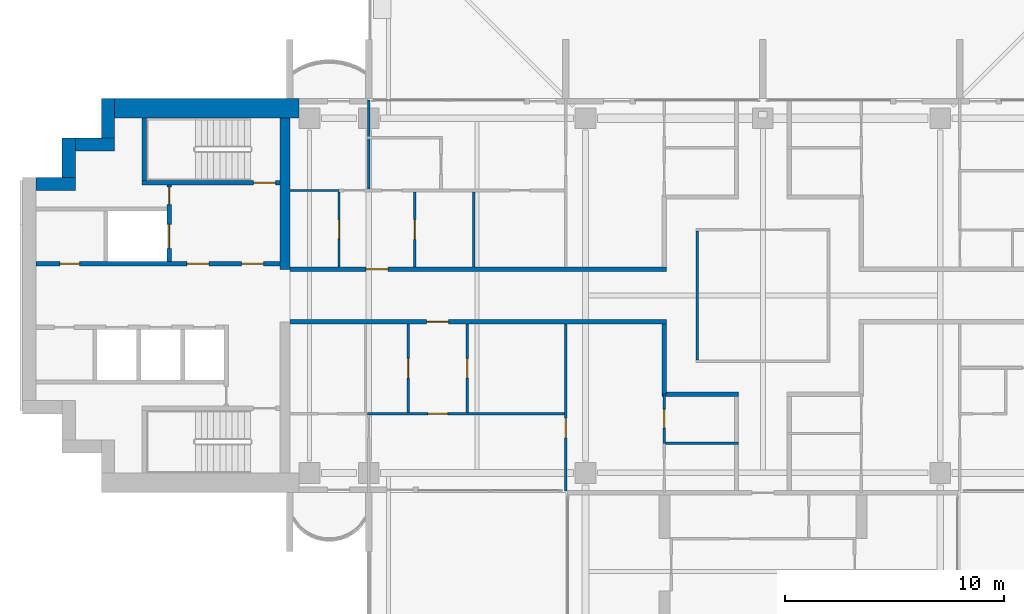
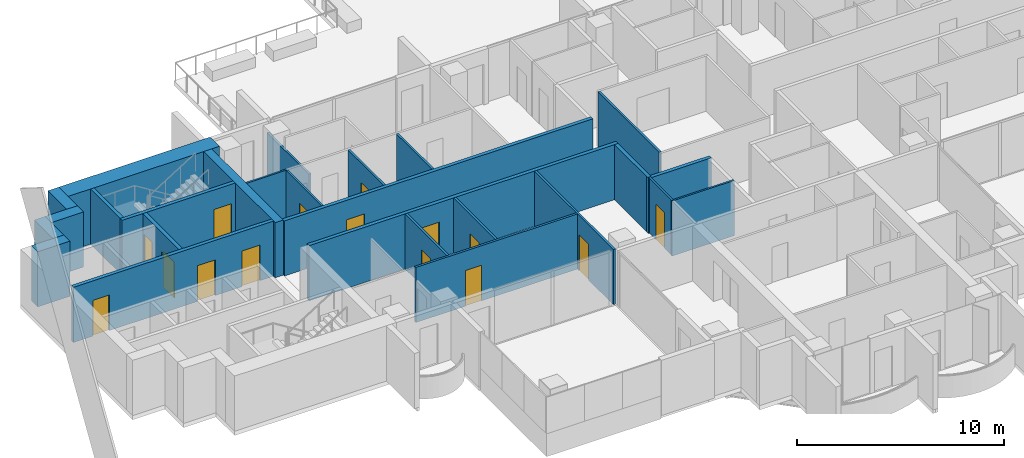
# One storey, part 9 of 18: 26 walls, 15 doors, 15 openings.
"""IFC4 building model written with IfcOpenShell, lengths in metres."""

from ifc_helpers import new_model, si_unit, direction, frame, frame_2d, origin, place, context, subcontext, project, spatial, rectangle, extrude, material, layer, layer_set, type_object, element, fill, save


model = new_model("IFC4")

# Units and contexts
model_context = context("Model", 3, precision=1e-05, world=origin(), true_north=direction((0.0, 1.0)))
body_context = subcontext(model_context, "Body", "Model", "MODEL_VIEW")
ifc_project = project(units=[si_unit("LENGTHUNIT", "METRE"), si_unit("AREAUNIT", "SQUARE_METRE"), si_unit("VOLUMEUNIT", "CUBIC_METRE"), si_unit("PLANEANGLEUNIT", "RADIAN"), si_unit("MASSUNIT", "GRAM", prefix="KILO")], contexts=[model_context])

# Site, building, storey
site_placement = place(None, origin())
site = spatial("IfcSite", under=ifc_project, at=site_placement, CompositionType="ELEMENT")
building_placement = place(site_placement, origin())
building = spatial("IfcBuilding", under=site, at=building_placement, Name="Perihelion Cross Residences", CompositionType="ELEMENT")
storey_placement = place(building_placement, frame((0.0, 0.0, 166.60009765625)))
storey = spatial("IfcBuildingStorey", under=building, at=storey_placement, Name="L40", CompositionType="ELEMENT", Elevation=166.60009765625)

# Wall, opening, door
ifc_material_1 = material(Name="Plasterboard partition")
ifc_layer_1 = layer(ifc_material_1, 0.199951171875)
ifc_layer_set_1 = layer_set([ifc_layer_1], Name="Apartment separation wall 200")
wall_type_1 = type_object("IfcWallType", Name="Apartment separation wall 200", PredefinedType="PARTITIONING", material=ifc_layer_set_1)
wall_1_placement = place(storey_placement, frame((-21.60009765625, 1.199951171875, 0.0), z_axis=(0.0, 0.0, 1.0), x_axis=(1.0, 0.0, 0.0)))
wall_1 = element("IfcWall", 1, at=wall_1_placement, inside=storey, type_object=wall_type_1, Name="Partition L40 W013", PredefinedType="PARTITIONING", context=body_context, shape_type="SweptSolid", body=[
    extrude(rectangle(XDim=17.2001953125, YDim=0.199951171875, at=frame_2d((8.60009765625, 0.0))), origin(), (0.0, 0.0, 1.0), 3.25),
])
opening_1_placement = place(wall_1_placement, frame((3.47509765625, 0.0, 0.0)))
opening_1 = element("IfcOpeningElement", 2, at=opening_1_placement, cuts=wall_1, Name="Opening L40.A47", PredefinedType="OPENING", context=body_context, shape_type="SweptSolid", body=[
    extrude(rectangle(XDim=1.0, YDim=2.10009765625, at=frame_2d((0.5, 1.050048828125))), frame((0.0, 0.10986328125, 0.0), z_axis=(0.0, -1.0, 0.0), x_axis=(1.0, 0.0, 0.0)), (0.0, 0.0, 1.0), 0.219970703125),
])
ifc_material_2 = material(Name="Timber door leaf", Category="wood")
door_type_1 = type_object("IfcDoorType", Name="Flat entrance door 1000 x 2100", OperationType="SINGLE_SWING_LEFT", PredefinedType="DOOR", material=ifc_material_2)
door_1_placement = place(opening_1_placement, origin())
door_1 = element("IfcDoor", 3, at=door_1_placement, inside=storey, type_object=door_type_1, Name="Door L40.A47", OperationType="SINGLE_SWING_LEFT", OverallHeight=2.10009765625, OverallWidth=1.0, PredefinedType="DOOR", context=body_context, shape_type="SweptSolid", body=[
    extrude(rectangle(XDim=1.0, YDim=2.10009765625, at=frame_2d((0.5, 1.050048828125))), frame((0.0, 0.02490234375, 0.0), z_axis=(0.0, -1.0, 0.0), x_axis=(1.0, 0.0, 0.0)), (0.0, 0.0, 1.0), 0.050048828125),
])
fill(opening_1, door_1)

wall_2_placement = place(storey_placement, frame((-4.39990234375, -1.199951171875, 0.0), z_axis=(0.0, 0.0, 1.0), x_axis=(-1.0, 0.0, 0.0)))
wall_2 = element("IfcWall", 4, at=wall_2_placement, inside=storey, type_object=wall_type_1, Name="Partition L40 W017", PredefinedType="PARTITIONING", context=body_context, shape_type="SweptSolid", body=[
    extrude(rectangle(XDim=17.2001953125, YDim=0.199951171875, at=frame_2d((8.60009765625, 0.0))), origin(), (0.0, 0.0, 1.0), 3.25),
])
opening_2_placement = place(wall_2_placement, frame((9.949951171875, 0.0, 0.0)))
opening_2 = element("IfcOpeningElement", 5, at=opening_2_placement, cuts=wall_2, Name="Opening L40.A48", PredefinedType="OPENING", context=body_context, shape_type="SweptSolid", body=[
    extrude(rectangle(XDim=1.0, YDim=2.10009765625, at=frame_2d((0.5, 1.050048828125))), frame((0.0, 0.10986328125, 0.0), z_axis=(0.0, -1.0, 0.0), x_axis=(1.0, 0.0, 0.0)), (0.0, 0.0, 1.0), 0.219970703125),
])
door_2_placement = place(opening_2_placement, origin())
door_2 = element("IfcDoor", 6, at=door_2_placement, inside=storey, type_object=door_type_1, Name="Door L40.A48", OperationType="SINGLE_SWING_LEFT", OverallHeight=2.10009765625, OverallWidth=1.0, PredefinedType="DOOR", context=body_context, shape_type="SweptSolid", body=[
    extrude(rectangle(XDim=1.0, YDim=2.10009765625, at=frame_2d((0.5, 1.050048828125))), frame((0.0, 0.02490234375, 0.0), z_axis=(0.0, -1.0, 0.0), x_axis=(1.0, 0.0, 0.0)), (0.0, 0.0, 1.0), 0.050048828125),
])
fill(opening_2, door_2)

# Walls
wall_3_placement = place(storey_placement, frame((-4.5, -4.5, 0.0), z_axis=(0.0, 0.0, 1.0), x_axis=(0.0, 1.0, 0.0)))
element("IfcWall", 7, at=wall_3_placement, inside=storey, type_object=wall_type_1, Name="Partition L40 W018", PredefinedType="PARTITIONING", context=body_context, shape_type="SweptSolid", body=[
    extrude(rectangle(XDim=3.199951171875, YDim=0.199951171875, at=frame_2d((1.60009765625, 0.0))), origin(), (0.0, 0.0, 1.0), 3.25),
])
wall_4_placement = place(storey_placement, frame((-1.10009765625, -4.5, 0.0), z_axis=(0.0, 0.0, 1.0), x_axis=(-1.0, 0.0, 0.0)))
element("IfcWall", 8, at=wall_4_placement, inside=storey, type_object=wall_type_1, Name="Partition L40 W020", PredefinedType="PARTITIONING", context=body_context, shape_type="SweptSolid", body=[
    extrude(rectangle(XDim=3.5, YDim=0.199951171875, at=frame_2d((1.75, 0.0))), origin(), (0.0, 0.0, 1.0), 3.25),
])
ifc_material_3 = material(Name="Concrete C60/75", Category="concrete")
ifc_layer_2 = layer(ifc_material_3, 0.449951171875)
ifc_layer_set_2 = layer_set([ifc_layer_2], Name="Core wall, inner 450")
wall_type_2 = type_object("IfcWallType", Name="Core wall, inner 450", PredefinedType="SHEAR", material=ifc_layer_set_2)
wall_5_placement = place(storey_placement, frame((-21.824951171875, 1.199951171875, 0.0), z_axis=(0.0, 0.0, 1.0), x_axis=(0.0, 1.0, 0.0)))
element("IfcWall", 9, at=wall_5_placement, inside=storey, type_object=wall_type_2, Name="West core core wall, inner", PredefinedType="SHEAR", context=body_context, shape_type="SweptSolid", body=[
    extrude(rectangle(XDim=6.900146484375, YDim=0.449951171875, at=frame_2d((3.4501953125, 0.0))), origin(), (0.0, 0.0, 1.0), 3.25),
])
ifc_material_4 = material(Name="Concrete C60/75", Category="concrete")
ifc_layer_3 = layer(ifc_material_4, 0.60009765625)
ifc_layer_set_3 = layer_set([ifc_layer_3], Name="Core wall, outer 600")
wall_type_3 = type_object("IfcWallType", Name="Core wall, outer 600", PredefinedType="SHEAR", material=ifc_layer_set_3)
for number, where, z_axis, x_axis, name in (
    (10, (-33.199951171875, 5.10009765625, 0.0), (0.0, 0.0, 1.0), (1.0, 0.0, 0.0), "West core core wall, outer"),
    (11, (-31.699951171875, 5.39990234375, 0.0), (0.0, 0.0, 1.0), (0.0, 1.0, 0.0), "West core core wall, outer"),
):
    element("IfcWall", number, at=place(storey_placement, frame(where, z_axis=z_axis, x_axis=x_axis)), inside=storey, type_object=wall_type_3, Name=name, PredefinedType="SHEAR", context=body_context, shape_type="SweptSolid", body=[
        extrude(rectangle(XDim=1.800048828125, YDim=0.60009765625, at=frame_2d((0.89990234375, 0.0))), origin(), (0.0, 0.0, 1.0), 3.25),
    ])
wall_6_placement = place(storey_placement, frame((-31.39990234375, 6.89990234375, 0.0), z_axis=(0.0, 0.0, 1.0), x_axis=(1.0, 0.0, 0.0)))
element("IfcWall", 12, at=wall_6_placement, inside=storey, type_object=wall_type_3, Name="West core core wall, outer", PredefinedType="SHEAR", context=body_context, shape_type="SweptSolid", body=[
    extrude(rectangle(XDim=1.7998046875, YDim=0.60009765625, at=frame_2d((0.89990234375, 0.0))), origin(), (0.0, 0.0, 1.0), 3.25),
])
wall_7_placement = place(storey_placement, frame((-29.89990234375, 7.199951171875, 0.0), z_axis=(0.0, 0.0, 1.0), x_axis=(0.0, 1.0, 0.0)))
element("IfcWall", 13, at=wall_7_placement, inside=storey, type_object=wall_type_3, Name="West core core wall, outer", PredefinedType="SHEAR", context=body_context, shape_type="SweptSolid", body=[
    extrude(rectangle(XDim=1.800048828125, YDim=0.60009765625, at=frame_2d((0.89990234375, 0.0))), origin(), (0.0, 0.0, 1.0), 3.25),
])
ifc_material_5 = material(Name="Concrete C60/75", Category="concrete")
ifc_layer_4 = layer(ifc_material_5, 0.89990234375)
ifc_layer_set_4 = layer_set([ifc_layer_4], Name="Core wall, outer 900")
wall_type_4 = type_object("IfcWallType", Name="Core wall, outer 900", PredefinedType="SHEAR", material=ifc_layer_set_4)
wall_8_placement = place(storey_placement, frame((-29.60009765625, 8.550048828125, 0.0), z_axis=(0.0, 0.0, 1.0), x_axis=(1.0, 0.0, 0.0)))
element("IfcWall", 14, at=wall_8_placement, inside=storey, type_object=wall_type_4, Name="West core core wall, outer", PredefinedType="SHEAR", context=body_context, shape_type="SweptSolid", body=[
    extrude(rectangle(XDim=8.425048828125, YDim=0.89990234375, at=frame_2d((4.21240234375, 0.0))), origin(), (0.0, 0.0, 1.0), 3.25),
])
ifc_material_6 = material(Name="Plasterboard partition")
ifc_layer_5 = layer(ifc_material_6, 0.1201171875)
ifc_layer_set_5 = layer_set([ifc_layer_5], Name="Partition wall 120")
wall_type_5 = type_object("IfcWallType", Name="Partition wall 120", PredefinedType="PARTITIONING", material=ifc_layer_set_5)
wall_9_placement = place(storey_placement, frame((-3.0, 2.93994140625, 0.0), z_axis=(0.0, 0.0, 1.0), x_axis=(0.0, -1.0, 0.0)))
element("IfcWall", 15, at=wall_9_placement, inside=storey, type_object=wall_type_5, Name="Partition L40 W004", PredefinedType="PARTITIONING", context=body_context, shape_type="SweptSolid", body=[
    extrude(rectangle(XDim=5.8798828125, YDim=0.1201171875, at=frame_2d((2.93994140625, 0.0))), origin(), (0.0, 0.0, 1.0), 3.25),
])
wall_10_placement = place(storey_placement, frame((-13.199951171875, 1.300048828125, 0.0), z_axis=(0.0, 0.0, 1.0), x_axis=(0.0, 1.0, 0.0)))
element("IfcWall", 16, at=wall_10_placement, inside=storey, type_object=wall_type_5, Name="Partition L40 W051", PredefinedType="PARTITIONING", context=body_context, shape_type="SweptSolid", body=[
    extrude(rectangle(XDim=3.43994140625, YDim=0.1201171875, at=frame_2d((1.719970703125, 0.0))), origin(), (0.0, 0.0, 1.0), 3.25),
])

# Wall, opening, door
wall_11_placement = place(storey_placement, frame((-15.89990234375, 1.300048828125, 0.0), z_axis=(0.0, 0.0, 1.0), x_axis=(0.0, 1.0, 0.0)))
wall_11 = element("IfcWall", 17, at=wall_11_placement, inside=storey, type_object=wall_type_5, Name="Partition L40 W054", PredefinedType="PARTITIONING", context=body_context, shape_type="SweptSolid", body=[
    extrude(rectangle(XDim=3.43994140625, YDim=0.1201171875, at=frame_2d((1.719970703125, 0.0))), origin(), (0.0, 0.0, 1.0), 3.25),
])
opening_3_placement = place(wall_11_placement, frame((1.27001953125, 0.0, 0.0)))
opening_3 = element("IfcOpeningElement", 18, at=opening_3_placement, cuts=wall_11, Name="Opening L40.A28", PredefinedType="OPENING", context=body_context, shape_type="SweptSolid", body=[
    extrude(rectangle(XDim=0.89990234375, YDim=2.10009765625, at=frame_2d((0.449951171875, 1.050048828125))), frame((0.0, 0.070068359375, 0.0), z_axis=(0.0, -1.0, 0.0), x_axis=(1.0, 0.0, 0.0)), (0.0, 0.0, 1.0), 0.14013671875),
])
ifc_material_7 = material(Name="Timber door leaf", Category="wood")
door_type_2 = type_object("IfcDoorType", Name="Interior room door 900 x 2100", OperationType="SINGLE_SWING_LEFT", PredefinedType="DOOR", material=ifc_material_7)
door_3_placement = place(opening_3_placement, origin())
door_3 = element("IfcDoor", 19, at=door_3_placement, inside=storey, type_object=door_type_2, Name="Door L40.A28", OperationType="SINGLE_SWING_LEFT", OverallHeight=2.10009765625, OverallWidth=0.89990234375, PredefinedType="DOOR", context=body_context, shape_type="SweptSolid", body=[
    extrude(rectangle(XDim=0.89990234375, YDim=2.10009765625, at=frame_2d((0.449951171875, 1.050048828125))), frame((0.0, 0.02490234375, 0.0), z_axis=(0.0, -1.0, 0.0), x_axis=(1.0, 0.0, 0.0)), (0.0, 0.0, 1.0), 0.050048828125),
])
fill(opening_3, door_3)

# Wall
wall_12_placement = place(storey_placement, frame((-18.0, 4.860107421875, 0.0), z_axis=(0.0, 0.0, 1.0), x_axis=(0.0, 1.0, 0.0)))
element("IfcWall", 20, at=wall_12_placement, inside=storey, type_object=wall_type_5, Name="Partition L40 W059", PredefinedType="PARTITIONING", context=body_context, shape_type="SweptSolid", body=[
    extrude(rectangle(XDim=4.059814453125, YDim=0.1201171875, at=frame_2d((2.02978515625, 0.0))), origin(), (0.0, 0.0, 1.0), 2.47998046875),
])

# Wall, opening, door
wall_13_placement = place(storey_placement, frame((-13.5, -5.340087890625, 0.0), z_axis=(0.0, 0.0, 1.0), x_axis=(0.0, 1.0, 0.0)))
wall_13 = element("IfcWall", 21, at=wall_13_placement, inside=storey, type_object=wall_type_5, Name="Partition L40 W063", PredefinedType="PARTITIONING", context=body_context, shape_type="SweptSolid", body=[
    extrude(rectangle(XDim=4.0400390625, YDim=0.1201171875, at=frame_2d((2.02001953125, 0.0))), origin(), (0.0, 0.0, 1.0), 3.25),
])
opening_4_placement = place(wall_13_placement, frame((1.570068359375, 0.0, 0.0)))
opening_4 = element("IfcOpeningElement", 22, at=opening_4_placement, cuts=wall_13, Name="Opening L40.A32", PredefinedType="OPENING", context=body_context, shape_type="SweptSolid", body=[
    extrude(rectangle(XDim=0.89990234375, YDim=2.10009765625, at=frame_2d((0.449951171875, 1.050048828125))), frame((0.0, 0.070068359375, 0.0), z_axis=(0.0, -1.0, 0.0), x_axis=(1.0, 0.0, 0.0)), (0.0, 0.0, 1.0), 0.14013671875),
])
door_4_placement = place(opening_4_placement, origin())
door_4 = element("IfcDoor", 23, at=door_4_placement, inside=storey, type_object=door_type_2, Name="Door L40.A32", OperationType="SINGLE_SWING_LEFT", OverallHeight=2.10009765625, OverallWidth=0.89990234375, PredefinedType="DOOR", context=body_context, shape_type="SweptSolid", body=[
    extrude(rectangle(XDim=0.89990234375, YDim=2.10009765625, at=frame_2d((0.449951171875, 1.050048828125))), frame((0.0, 0.02490234375, 0.0), z_axis=(0.0, -1.0, 0.0), x_axis=(1.0, 0.0, 0.0)), (0.0, 0.0, 1.0), 0.050048828125),
])
fill(opening_4, door_4)

wall_14_placement = place(storey_placement, frame((-8.93994140625, -5.39990234375, 0.0), z_axis=(0.0, 0.0, 1.0), x_axis=(-1.0, 0.0, 0.0)))
wall_14 = element("IfcWall", 24, at=wall_14_placement, inside=storey, type_object=wall_type_5, Name="Partition L40 W064", PredefinedType="PARTITIONING", context=body_context, shape_type="SweptSolid", body=[
    extrude(rectangle(XDim=9.1201171875, YDim=0.1201171875, at=frame_2d((4.56005859375, 0.0))), origin(), (0.0, 0.0, 1.0), 3.25),
])
opening_5_placement = place(wall_14_placement, frame((5.4599609375, 0.0, 0.0)))
opening_5 = element("IfcOpeningElement", 25, at=opening_5_placement, cuts=wall_14, Name="Opening L40.A38", PredefinedType="OPENING", context=body_context, shape_type="SweptSolid", body=[
    extrude(rectangle(XDim=0.89990234375, YDim=2.10009765625, at=frame_2d((0.449951171875, 1.050048828125))), frame((0.0, 0.070068359375, 0.0), z_axis=(0.0, -1.0, 0.0), x_axis=(1.0, 0.0, 0.0)), (0.0, 0.0, 1.0), 0.14013671875),
])
door_5_placement = place(opening_5_placement, origin())
door_5 = element("IfcDoor", 26, at=door_5_placement, inside=storey, type_object=door_type_2, Name="Door L40.A38", OperationType="SINGLE_SWING_RIGHT", OverallHeight=2.10009765625, OverallWidth=0.89990234375, PredefinedType="DOOR", context=body_context, shape_type="SweptSolid", body=[
    extrude(rectangle(XDim=0.89990234375, YDim=2.10009765625, at=frame_2d((0.449951171875, 1.050048828125))), frame((0.0, 0.02490234375, 0.0), z_axis=(0.0, -1.0, 0.0), x_axis=(1.0, 0.0, 0.0)), (0.0, 0.0, 1.0), 0.050048828125),
])
fill(opening_5, door_5)

wall_15_placement = place(storey_placement, frame((-9.0, -1.300048828125, 0.0), z_axis=(0.0, 0.0, 1.0), x_axis=(0.0, -1.0, 0.0)))
wall_15 = element("IfcWall", 27, at=wall_15_placement, inside=storey, type_object=wall_type_5, Name="Partition L40 W065", PredefinedType="PARTITIONING", context=body_context, shape_type="SweptSolid", body=[
    extrude(rectangle(XDim=7.619873046875, YDim=0.1201171875, at=frame_2d((3.81005859375, 0.0))), origin(), (0.0, 0.0, 1.0), 3.25),
])
opening_6_placement = place(wall_15_placement, frame((4.300048828125, 0.0, 0.0)))
opening_6 = element("IfcOpeningElement", 28, at=opening_6_placement, cuts=wall_15, Name="Opening L40.A34", PredefinedType="OPENING", context=body_context, shape_type="SweptSolid", body=[
    extrude(rectangle(XDim=0.89990234375, YDim=2.10009765625, at=frame_2d((0.449951171875, 1.050048828125))), frame((0.0, 0.070068359375, 0.0), z_axis=(0.0, -1.0, 0.0), x_axis=(1.0, 0.0, 0.0)), (0.0, 0.0, 1.0), 0.14013671875),
])
door_6_placement = place(opening_6_placement, origin())
door_6 = element("IfcDoor", 29, at=door_6_placement, inside=storey, type_object=door_type_2, Name="Door L40.A34", OperationType="SINGLE_SWING_RIGHT", OverallHeight=2.10009765625, OverallWidth=0.89990234375, PredefinedType="DOOR", context=body_context, shape_type="SweptSolid", body=[
    extrude(rectangle(XDim=0.89990234375, YDim=2.10009765625, at=frame_2d((0.449951171875, 1.050048828125))), frame((0.0, 0.02490234375, 0.0), z_axis=(0.0, -1.0, 0.0), x_axis=(1.0, 0.0, 0.0)), (0.0, 0.0, 1.0), 0.050048828125),
])
fill(opening_6, door_6)

wall_16_placement = place(storey_placement, frame((-16.199951171875, -5.340087890625, 0.0), z_axis=(0.0, 0.0, 1.0), x_axis=(0.0, 1.0, 0.0)))
wall_16 = element("IfcWall", 30, at=wall_16_placement, inside=storey, type_object=wall_type_5, Name="Partition L40 W066", PredefinedType="PARTITIONING", context=body_context, shape_type="SweptSolid", body=[
    extrude(rectangle(XDim=4.0400390625, YDim=0.1201171875, at=frame_2d((2.02001953125, 0.0))), origin(), (0.0, 0.0, 1.0), 3.25),
])
opening_7_placement = place(wall_16_placement, frame((1.570068359375, 0.0, 0.0)))
opening_7 = element("IfcOpeningElement", 31, at=opening_7_placement, cuts=wall_16, Name="Opening L40.A31", PredefinedType="OPENING", context=body_context, shape_type="SweptSolid", body=[
    extrude(rectangle(XDim=0.89990234375, YDim=2.10009765625, at=frame_2d((0.449951171875, 1.050048828125))), frame((0.0, 0.070068359375, 0.0), z_axis=(0.0, -1.0, 0.0), x_axis=(1.0, 0.0, 0.0)), (0.0, 0.0, 1.0), 0.14013671875),
])
door_7_placement = place(opening_7_placement, origin())
door_7 = element("IfcDoor", 32, at=door_7_placement, inside=storey, type_object=door_type_2, Name="Door L40.A31", OperationType="SINGLE_SWING_RIGHT", OverallHeight=2.10009765625, OverallWidth=0.89990234375, PredefinedType="DOOR", context=body_context, shape_type="SweptSolid", body=[
    extrude(rectangle(XDim=0.89990234375, YDim=2.10009765625, at=frame_2d((0.449951171875, 1.050048828125))), frame((0.0, 0.02490234375, 0.0), z_axis=(0.0, -1.0, 0.0), x_axis=(1.0, 0.0, 0.0)), (0.0, 0.0, 1.0), 0.050048828125),
])
fill(opening_7, door_7)

# Wall, openings, doors
ifc_material_8 = material(Name="Concrete C50/60", Category="concrete")
ifc_layer_6 = layer(ifc_material_8, 0.199951171875)
ifc_layer_set_6 = layer_set([ifc_layer_6], Name="Shaft wall 200")
wall_type_6 = type_object("IfcWallType", Name="Shaft wall 200", PredefinedType="SOLIDWALL", material=ifc_layer_set_6)
wall_17_placement = place(storey_placement, frame((-33.199951171875, 1.449951171875, 0.0), z_axis=(0.0, 0.0, 1.0), x_axis=(1.0, 0.0, 0.0)))
wall_17 = element("IfcWall", 33, at=wall_17_placement, inside=storey, type_object=wall_type_6, Name="West core shaft wall", PredefinedType="SOLIDWALL", context=body_context, shape_type="SweptSolid", body=[
    extrude(rectangle(XDim=11.14990234375, YDim=0.199951171875, at=frame_2d((5.574951171875, 0.0))), origin(), (0.0, 0.0, 1.0), 3.25),
])
opening_8_placement = place(wall_17_placement, frame((9.39990234375, 0.0, 0.0)))
opening_8 = element("IfcOpeningElement", 34, at=opening_8_placement, cuts=wall_17, Name="Opening L40.C19", PredefinedType="OPENING", context=body_context, shape_type="SweptSolid", body=[
    extrude(rectangle(XDim=1.0, YDim=2.10009765625, at=frame_2d((0.5, 1.050048828125))), frame((0.0, 0.10986328125, 0.0), z_axis=(0.0, -1.0, 0.0), x_axis=(1.0, 0.0, 0.0)), (0.0, 0.0, 1.0), 0.219970703125),
])
opening_9_placement = place(wall_17_placement, frame((6.89990234375, 0.0, 0.0)))
opening_9 = element("IfcOpeningElement", 35, at=opening_9_placement, cuts=wall_17, Name="Opening L40.C21", PredefinedType="OPENING", context=body_context, shape_type="SweptSolid", body=[
    extrude(rectangle(XDim=1.0, YDim=2.10009765625, at=frame_2d((0.5, 1.050048828125))), frame((0.0, 0.10986328125, 0.0), z_axis=(0.0, -1.0, 0.0), x_axis=(1.0, 0.0, 0.0)), (0.0, 0.0, 1.0), 0.219970703125),
])
opening_10_placement = place(wall_17_placement, frame((1.10009765625, 0.0, 0.0)))
opening_10 = element("IfcOpeningElement", 36, at=opening_10_placement, cuts=wall_17, Name="Opening L40.C23", PredefinedType="OPENING", context=body_context, shape_type="SweptSolid", body=[
    extrude(rectangle(XDim=0.89990234375, YDim=2.10009765625, at=frame_2d((0.449951171875, 1.050048828125))), frame((0.0, 0.10986328125, 0.0), z_axis=(0.0, -1.0, 0.0), x_axis=(1.0, 0.0, 0.0)), (0.0, 0.0, 1.0), 0.219970703125),
])
ifc_material_9 = material(Name="Steel, powder coated", Category="steel")
door_type_3 = type_object("IfcDoorType", Name="Lobby door 1000", OperationType="SINGLE_SWING_LEFT", PredefinedType="DOOR", material=ifc_material_9)
door_8_placement = place(opening_8_placement, origin())
door_8 = element("IfcDoor", 37, at=door_8_placement, inside=storey, type_object=door_type_3, Name="West core firefighting lobby door", OperationType="SINGLE_SWING_LEFT", OverallHeight=2.10009765625, OverallWidth=1.0, PredefinedType="DOOR", context=body_context, shape_type="SweptSolid", body=[
    extrude(rectangle(XDim=1.0, YDim=2.10009765625, at=frame_2d((0.5, 1.050048828125))), frame((0.0, 0.02490234375, 0.0), z_axis=(0.0, -1.0, 0.0), x_axis=(1.0, 0.0, 0.0)), (0.0, 0.0, 1.0), 0.050048828125),
])
fill(opening_8, door_8)
door_9_placement = place(opening_9_placement, origin())
door_9 = element("IfcDoor", 38, at=door_9_placement, inside=storey, type_object=door_type_3, Name="West core firefighting lobby door", OperationType="SINGLE_SWING_LEFT", OverallHeight=2.10009765625, OverallWidth=1.0, PredefinedType="DOOR", context=body_context, shape_type="SweptSolid", body=[
    extrude(rectangle(XDim=1.0, YDim=2.10009765625, at=frame_2d((0.5, 1.050048828125))), frame((0.0, 0.02490234375, 0.0), z_axis=(0.0, -1.0, 0.0), x_axis=(1.0, 0.0, 0.0)), (0.0, 0.0, 1.0), 0.050048828125),
])
fill(opening_9, door_9)
ifc_material_10 = material(Name="Steel, powder coated", Category="steel")
door_type_4 = type_object("IfcDoorType", Name="Service room door 900", OperationType="SINGLE_SWING_LEFT", PredefinedType="DOOR", material=ifc_material_10)
door_10_placement = place(opening_10_placement, origin())
door_10 = element("IfcDoor", 39, at=door_10_placement, inside=storey, type_object=door_type_4, Name="West core service room door", OperationType="SINGLE_SWING_LEFT", OverallHeight=2.10009765625, OverallWidth=0.89990234375, PredefinedType="DOOR", context=body_context, shape_type="SweptSolid", body=[
    extrude(rectangle(XDim=0.89990234375, YDim=2.10009765625, at=frame_2d((0.449951171875, 1.050048828125))), frame((0.0, 0.02490234375, 0.0), z_axis=(0.0, -1.0, 0.0), x_axis=(1.0, 0.0, 0.0)), (0.0, 0.0, 1.0), 0.050048828125),
])
fill(opening_10, door_10)

wall_18_placement = place(storey_placement, frame((-27.10009765625, 1.550048828125, 0.0), z_axis=(0.0, 0.0, 1.0), x_axis=(0.0, 1.0, 0.0)))
wall_18 = element("IfcWall", 40, at=wall_18_placement, inside=storey, type_object=wall_type_6, Name="West core shaft wall", PredefinedType="SOLIDWALL", context=body_context, shape_type="SweptSolid", body=[
    extrude(rectangle(XDim=3.5, YDim=0.199951171875, at=frame_2d((1.75, 0.0))), origin(), (0.0, 0.0, 1.0), 3.25),
])
opening_11_placement = place(wall_18_placement, frame((0.60009765625, 0.0, 0.0)))
opening_11 = element("IfcOpeningElement", 41, at=opening_11_placement, cuts=wall_18, Name="Opening L40.C14", PredefinedType="OPENING", context=body_context, shape_type="SweptSolid", body=[
    extrude(rectangle(XDim=1.10009765625, YDim=2.10009765625, at=frame_2d((0.550048828125, 1.050048828125))), frame((0.0, 0.10986328125, 0.0), z_axis=(0.0, -1.0, 0.0), x_axis=(1.0, 0.0, 0.0)), (0.0, 0.0, 1.0), 0.219970703125),
])
opening_12_placement = place(wall_18_placement, frame((2.60009765625, 0.0, 0.0)))
opening_12 = element("IfcOpeningElement", 42, at=opening_12_placement, cuts=wall_18, Name="Opening L40.C22", PredefinedType="OPENING", context=body_context, shape_type="SweptSolid", body=[
    extrude(rectangle(XDim=0.800048828125, YDim=2.10009765625, at=frame_2d((0.39990234375, 1.050048828125))), frame((0.0, 0.10986328125, 0.0), z_axis=(0.0, -1.0, 0.0), x_axis=(1.0, 0.0, 0.0)), (0.0, 0.0, 1.0), 0.219970703125),
])
ifc_material_11 = material(Name="Stainless steel", Category="steel")
door_type_5 = type_object("IfcDoorType", Name="Landing door, firefighting lift 1100", OperationType="DOUBLE_DOOR_SLIDING", PredefinedType="DOOR", material=ifc_material_11)
door_11_placement = place(opening_11_placement, origin())
door_11 = element("IfcDoor", 43, at=door_11_placement, inside=storey, type_object=door_type_5, Name="Landing door, West core firefighting and service lift", OperationType="DOUBLE_DOOR_SLIDING", OverallHeight=2.10009765625, OverallWidth=1.10009765625, PredefinedType="DOOR", context=body_context, shape_type="SweptSolid", body=[
    extrude(rectangle(XDim=1.10009765625, YDim=2.10009765625, at=frame_2d((0.550048828125, 1.050048828125))), frame((0.0, 0.02490234375, 0.0), z_axis=(0.0, -1.0, 0.0), x_axis=(1.0, 0.0, 0.0)), (0.0, 0.0, 1.0), 0.050048828125),
])
fill(opening_11, door_11)
ifc_material_12 = material(Name="Steel, powder coated", Category="steel")
door_type_6 = type_object("IfcDoorType", Name="Riser door 800", OperationType="SINGLE_SWING_LEFT", PredefinedType="DOOR", material=ifc_material_12)
door_12_placement = place(opening_12_placement, origin())
door_12 = element("IfcDoor", 44, at=door_12_placement, inside=storey, type_object=door_type_6, Name="West core riser door", OperationType="SINGLE_SWING_LEFT", OverallHeight=2.10009765625, OverallWidth=0.800048828125, PredefinedType="DOOR", context=body_context, shape_type="SweptSolid", body=[
    extrude(rectangle(XDim=0.800048828125, YDim=2.10009765625, at=frame_2d((0.39990234375, 1.050048828125))), frame((0.0, 0.02490234375, 0.0), z_axis=(0.0, -1.0, 0.0), x_axis=(1.0, 0.0, 0.0)), (0.0, 0.0, 1.0), 0.050048828125),
])
fill(opening_12, door_12)

# Wall, opening, door
ifc_material_13 = material(Name="Concrete C50/60", Category="concrete")
ifc_layer_7 = layer(ifc_material_13, 0.199951171875)
ifc_layer_set_7 = layer_set([ifc_layer_7], Name="Stair wall 200")
wall_type_7 = type_object("IfcWallType", Name="Stair wall 200", PredefinedType="SOLIDWALL", material=ifc_layer_set_7)
wall_19_placement = place(storey_placement, frame((-28.35009765625, 5.14990234375, 0.0), z_axis=(0.0, 0.0, 1.0), x_axis=(1.0, 0.0, 0.0)))
wall_19 = element("IfcWall", 45, at=wall_19_placement, inside=storey, type_object=wall_type_7, Name="West core stair wall", PredefinedType="SOLIDWALL", context=body_context, shape_type="SweptSolid", body=[
    extrude(rectangle(XDim=6.300048828125, YDim=0.199951171875, at=frame_2d((3.14990234375, 0.0))), origin(), (0.0, 0.0, 1.0), 3.25),
])
opening_13_placement = place(wall_19_placement, frame((5.10009765625, 0.0, 0.0)))
opening_13 = element("IfcOpeningElement", 46, at=opening_13_placement, cuts=wall_19, Name="Opening L40.C18", PredefinedType="OPENING", context=body_context, shape_type="SweptSolid", body=[
    extrude(rectangle(XDim=1.0, YDim=2.10009765625, at=frame_2d((0.5, 1.050048828125))), frame((0.0, 0.10986328125, 0.0), z_axis=(0.0, -1.0, 0.0), x_axis=(1.0, 0.0, 0.0)), (0.0, 0.0, 1.0), 0.219970703125),
])
ifc_material_14 = material(Name="Steel, powder coated", Category="steel")
door_type_7 = type_object("IfcDoorType", Name="Stair door 1000", OperationType="SINGLE_SWING_LEFT", PredefinedType="DOOR", material=ifc_material_14)
door_13_placement = place(opening_13_placement, origin())
door_13 = element("IfcDoor", 47, at=door_13_placement, inside=storey, type_object=door_type_7, Name="West core stair door", OperationType="SINGLE_SWING_LEFT", OverallHeight=2.10009765625, OverallWidth=1.0, PredefinedType="DOOR", context=body_context, shape_type="SweptSolid", body=[
    extrude(rectangle(XDim=1.0, YDim=2.10009765625, at=frame_2d((0.5, 1.050048828125))), frame((0.0, 0.02490234375, 0.0), z_axis=(0.0, -1.0, 0.0), x_axis=(1.0, 0.0, 0.0)), (0.0, 0.0, 1.0), 0.050048828125),
])
fill(opening_13, door_13)

# Wall
wall_20_placement = place(storey_placement, frame((-28.25, 5.25, 0.0), z_axis=(0.0, 0.0, 1.0), x_axis=(0.0, 1.0, 0.0)))
element("IfcWall", 48, at=wall_20_placement, inside=storey, type_object=wall_type_7, Name="West core stair wall", PredefinedType="SOLIDWALL", context=body_context, shape_type="SweptSolid", body=[
    extrude(rectangle(XDim=2.85009765625, YDim=0.199951171875, at=frame_2d((1.425048828125, 0.0))), origin(), (0.0, 0.0, 1.0), 3.25),
])

# Wall, opening, door
ifc_material_15 = material(Name="Plasterboard partition")
ifc_layer_8 = layer(ifc_material_15, 0.10009765625)
ifc_layer_set_8 = layer_set([ifc_layer_8], Name="Wet room wall 100")
wall_type_8 = type_object("IfcWallType", Name="Wet room wall 100", PredefinedType="PARTITIONING", material=ifc_layer_set_8)
wall_21_placement = place(storey_placement, frame((-19.35009765625, 1.300048828125, 0.0), z_axis=(0.0, 0.0, 1.0), x_axis=(0.0, 1.0, 0.0)))
wall_21 = element("IfcWall", 49, at=wall_21_placement, inside=storey, type_object=wall_type_8, Name="Partition L40 W055", PredefinedType="PARTITIONING", context=body_context, shape_type="SweptSolid", body=[
    extrude(rectangle(XDim=3.43994140625, YDim=0.10009765625, at=frame_2d((1.719970703125, 0.0))), origin(), (0.0, 0.0, 1.0), 3.25),
])
opening_14_placement = place(wall_21_placement, frame((1.294921875, 0.0, 0.0)))
opening_14 = element("IfcOpeningElement", 50, at=opening_14_placement, cuts=wall_21, Name="Opening L40.A23", PredefinedType="OPENING", context=body_context, shape_type="SweptSolid", body=[
    extrude(rectangle(XDim=0.85009765625, YDim=2.10009765625, at=frame_2d((0.425048828125, 1.050048828125))), frame((0.0, 0.06005859375, 0.0), z_axis=(0.0, -1.0, 0.0), x_axis=(1.0, 0.0, 0.0)), (0.0, 0.0, 1.0), 0.1201171875),
])
ifc_material_16 = material(Name="Timber door leaf", Category="wood")
door_type_8 = type_object("IfcDoorType", Name="Interior bathroom door 850 x 2100", OperationType="SINGLE_SWING_LEFT", PredefinedType="DOOR", material=ifc_material_16)
door_14_placement = place(opening_14_placement, origin())
door_14 = element("IfcDoor", 51, at=door_14_placement, inside=storey, type_object=door_type_8, Name="Door L40.A23", OperationType="SINGLE_SWING_LEFT", OverallHeight=2.10009765625, OverallWidth=0.85009765625, PredefinedType="DOOR", context=body_context, shape_type="SweptSolid", body=[
    extrude(rectangle(XDim=0.85009765625, YDim=2.10009765625, at=frame_2d((0.425048828125, 1.050048828125))), frame((0.0, 0.02490234375, 0.0), z_axis=(0.0, -1.0, 0.0), x_axis=(1.0, 0.0, 0.0)), (0.0, 0.0, 1.0), 0.050048828125),
])
fill(opening_14, door_14)

# Wall
wall_22_placement = place(storey_placement, frame((-21.60009765625, 4.800048828125, 0.0), z_axis=(0.0, 0.0, 1.0), x_axis=(1.0, 0.0, 0.0)))
element("IfcWall", 52, at=wall_22_placement, inside=storey, type_object=wall_type_8, Name="Partition L40 W056", PredefinedType="PARTITIONING", context=body_context, shape_type="SweptSolid", body=[
    extrude(rectangle(XDim=2.25, YDim=0.10009765625, at=frame_2d((1.125, 0.0))), origin(), (0.0, 0.0, 1.0), 3.25),
])

# Wall, opening, door
wall_23_placement = place(storey_placement, frame((-4.5, -4.5, 0.0), z_axis=(0.0, 0.0, 1.0), x_axis=(0.0, -1.0, 0.0)))
wall_23 = element("IfcWall", 53, at=wall_23_placement, inside=storey, type_object=wall_type_8, Name="Partition L40 W070", PredefinedType="PARTITIONING", context=body_context, shape_type="SweptSolid", body=[
    extrude(rectangle(XDim=2.25, YDim=0.10009765625, at=frame_2d((1.125, 0.0))), origin(), (0.0, 0.0, 1.0), 3.25),
])
opening_15_placement = place(wall_23_placement, frame((0.699951171875, 0.0, 0.0)))
opening_15 = element("IfcOpeningElement", 54, at=opening_15_placement, cuts=wall_23, Name="Opening L40.A36", PredefinedType="OPENING", context=body_context, shape_type="SweptSolid", body=[
    extrude(rectangle(XDim=0.85009765625, YDim=2.10009765625, at=frame_2d((0.425048828125, 1.050048828125))), frame((0.0, 0.06005859375, 0.0), z_axis=(0.0, -1.0, 0.0), x_axis=(1.0, 0.0, 0.0)), (0.0, 0.0, 1.0), 0.1201171875),
])
door_15_placement = place(opening_15_placement, origin())
door_15 = element("IfcDoor", 55, at=door_15_placement, inside=storey, type_object=door_type_8, Name="Door L40.A36", OperationType="SINGLE_SWING_RIGHT", OverallHeight=2.10009765625, OverallWidth=0.85009765625, PredefinedType="DOOR", context=body_context, shape_type="SweptSolid", body=[
    extrude(rectangle(XDim=0.85009765625, YDim=2.10009765625, at=frame_2d((0.425048828125, 1.050048828125))), frame((0.0, 0.02490234375, 0.0), z_axis=(0.0, -1.0, 0.0), x_axis=(1.0, 0.0, 0.0)), (0.0, 0.0, 1.0), 0.050048828125),
])
fill(opening_15, door_15)

# Wall
wall_24_placement = place(storey_placement, frame((-1.10009765625, -6.75, 0.0), z_axis=(0.0, 0.0, 1.0), x_axis=(-1.0, 0.0, 0.0)))
element("IfcWall", 56, at=wall_24_placement, inside=storey, type_object=wall_type_8, Name="Partition L40 W072", PredefinedType="PARTITIONING", context=body_context, shape_type="SweptSolid", body=[
    extrude(rectangle(XDim=3.4599609375, YDim=0.10009765625, at=frame_2d((1.72998046875, 0.0))), origin(), (0.0, 0.0, 1.0), 3.25),
])

save(model, "model.ifc")
